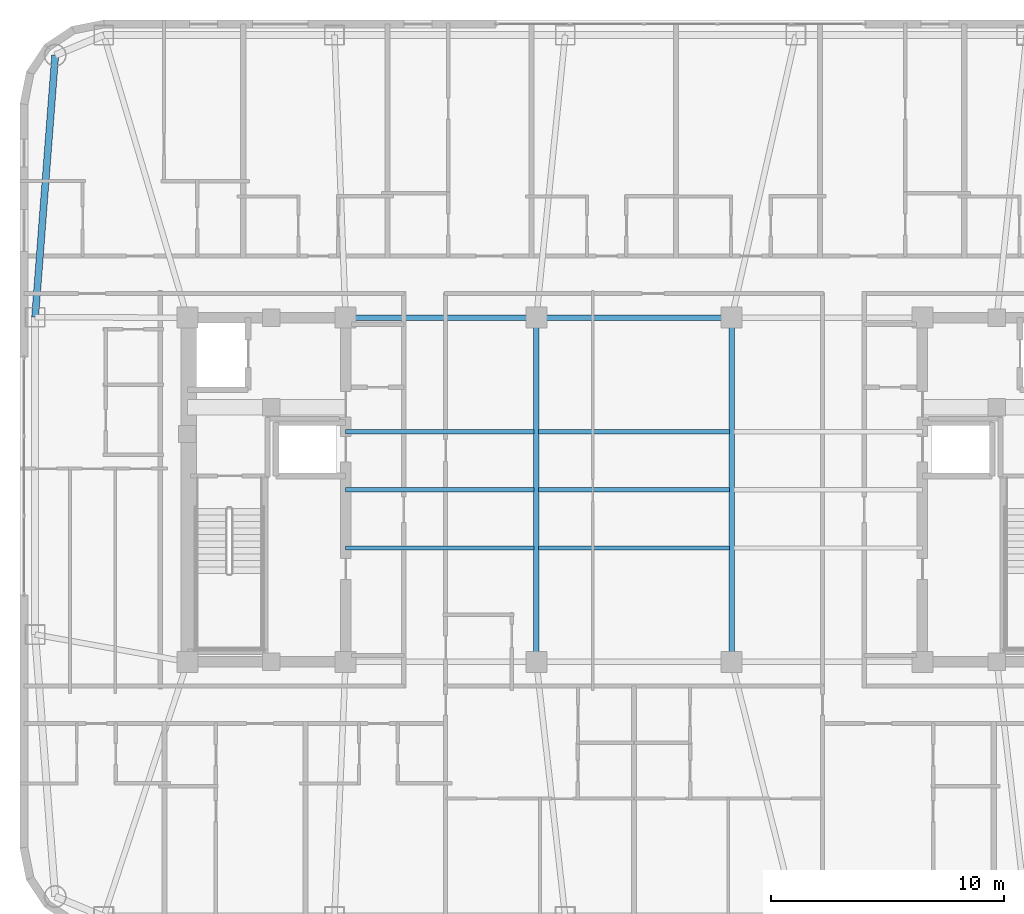
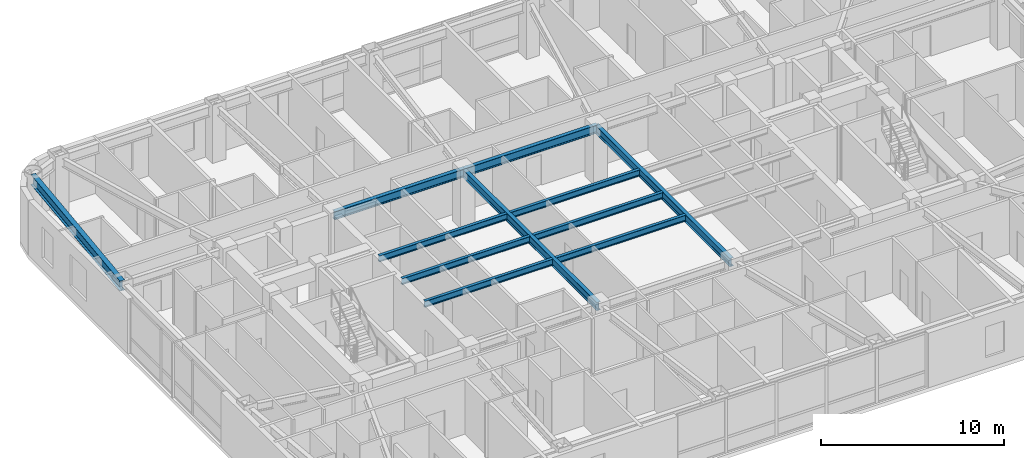
# One storey, part 8 of 29: 11 beams.
"""IFC4 building model written with IfcOpenShell, lengths in metres."""

import ifcopenshell
import ifcopenshell.guid

model = None  # the IFC model being written
_history = None  # IfcOwnerHistory: only IFC2X3 demands one
_inside = {}  # id of a spatial element -> (the spatial element, [elements in it])
_under = {}  # id of a project, library or spatial element -> (it, [spatial elements below it])
_declared = {}  # id of a project -> (the project, [libraries it declares])
_typed = {}  # id of a type object -> (the type object, [elements of that type])
_made_of = {}  # id of a material, layer set ... -> (it, [elements and type objects made of it])


def new_model(schema):
    """Start an empty IFC model of exactly this schema.

    Asked for "IFC4X3", IfcOpenShell would pick the latest addendum, in which some entities
    have other attributes; the version numbers below select the first issue.
    IFC2X3 requires an IfcOwnerHistory on every rooted entity: one is made here for all.
    """
    global model, _history
    if schema == "IFC4X3":
        model = ifcopenshell.file(schema_version=(4, 3, 0, 0))
    else:
        model = ifcopenshell.file(schema=schema)
    _inside.clear()
    _under.clear()
    _declared.clear()
    _typed.clear()
    _made_of.clear()
    _history = None
    if model.schema == "IFC2X3":
        org = make("IfcOrganization", Name="unknown")
        user = make(
            "IfcPersonAndOrganization",
            ThePerson=make("IfcPerson", FamilyName="unknown"),
            TheOrganization=org,
        )
        app = make(
            "IfcApplication",
            ApplicationDeveloper=org,
            Version="unknown",
            ApplicationFullName="unknown",
            ApplicationIdentifier="unknown",
        )
        _history = make(
            "IfcOwnerHistory",
            OwningUser=user,
            OwningApplication=app,
            ChangeAction="ADDED",
            CreationDate=0,
        )
    return model


def make(cls, **values):
    """One entity of the class cls with the attributes given. An attribute that is None is left unset."""
    return model.create_entity(
        cls, **{name: value for name, value in values.items() if value is not None}
    )


def rooted(cls, **values):
    """An entity with a GlobalId (a new one), such as an element, a storey or a relation."""
    return make(cls, GlobalId=ifcopenshell.guid.new(), OwnerHistory=_history, **values)


def si_unit(unit_type, name, prefix=None):
    """IfcSIUnit, for example si_unit("LENGTHUNIT", "METRE", prefix="MILLI")."""
    return make("IfcSIUnit", UnitType=unit_type, Prefix=prefix, Name=name)


def assignment(units):
    """IfcUnitAssignment: the units of a project."""
    return None if units is None else make("IfcUnitAssignment", Units=units)


def point(xyz):
    """IfcCartesianPoint."""
    return None if xyz is None else make("IfcCartesianPoint", Coordinates=xyz)


def direction(xyz):
    """IfcDirection."""
    return None if xyz is None else make("IfcDirection", DirectionRatios=xyz)


def frame(location, z_axis=None, x_axis=None):
    """IfcAxis2Placement3D, a coordinate frame: its origin and axes. An axis left out is left unset."""
    return make(
        "IfcAxis2Placement3D",
        Location=point(location),
        Axis=direction(z_axis),
        RefDirection=direction(x_axis),
    )


def frame_2d(location, x_axis=None):
    """IfcAxis2Placement2D, a coordinate frame in the plane: its origin and x axis."""
    return make(
        "IfcAxis2Placement2D", Location=point(location), RefDirection=direction(x_axis)
    )


def origin():
    """The frame at (0, 0, 0) with its axes left unset."""
    return frame((0.0, 0.0, 0.0))


def origin_2d():
    """The frame at (0, 0) in the plane with its x axis left unset."""
    return frame_2d((0.0, 0.0))


def place(relative_to, where):
    """IfcLocalPlacement: puts the frame where relative to a parent placement (None: the world)."""
    return make(
        "IfcLocalPlacement", PlacementRelTo=relative_to, RelativePlacement=where
    )


def context(
    kind, dimensions, precision=None, world=None, true_north=None, identifier=None
):
    """IfcGeometricRepresentationContext, for example the 3D "Model" context."""
    return make(
        "IfcGeometricRepresentationContext",
        ContextIdentifier=identifier,
        ContextType=kind,
        CoordinateSpaceDimension=dimensions,
        Precision=precision,
        WorldCoordinateSystem=world,
        TrueNorth=true_north,
    )


def subcontext(parent, identifier, kind, view, scale=None):
    """IfcGeometricRepresentationSubContext, for example "Body" below "Model"."""
    return make(
        "IfcGeometricRepresentationSubContext",
        ContextIdentifier=identifier,
        ContextType=kind,
        ParentContext=parent,
        TargetScale=scale,
        TargetView=view,
    )


def project(units=None, contexts=None):
    """IfcProject with its units and contexts."""
    return rooted(
        "IfcProject",
        Name="project",
        RepresentationContexts=contexts,
        UnitsInContext=assignment(units),
    )


def spatial(cls, under=None, at=None, **own):
    """A site, building, storey or space (cls), placed at a placement, below another one or the project."""
    s = rooted(cls, ObjectPlacement=at, **own)
    if under is not None:
        _under.setdefault(under.id(), (under, []))[1].append(s)
    return s


def profile(cls, at=None, kind="AREA", **sizes):
    """A parametric profile (cls). Its sizes go by their IFC names, for example OverallWidth=200.0."""
    return make(cls, ProfileType=kind, Position=at, **sizes)


def i_section(**sizes):
    """IfcIShapeProfileDef."""
    return profile("IfcIShapeProfileDef", **sizes)


def extrude(swept, where, along, depth):
    """IfcExtrudedAreaSolid: the profile swept, set in the frame where, extruded along a direction by depth."""
    return make(
        "IfcExtrudedAreaSolid",
        SweptArea=swept,
        Position=where,
        ExtrudedDirection=direction(along),
        Depth=depth,
    )


def shape(context_of_items, identifier, shape_type, items):
    """IfcShapeRepresentation: the items that make up one representation, for example the "Body"."""
    return make(
        "IfcShapeRepresentation",
        ContextOfItems=context_of_items,
        RepresentationIdentifier=identifier,
        RepresentationType=shape_type,
        Items=items,
    )


def material(Name=None, Category=None):
    """IfcMaterial."""
    return make("IfcMaterial", Name=Name, Category=Category)


def material_profile(
    of_material, cross_section, Name=None, Category=None, Priority=None
):
    """IfcMaterialProfile: a cross section and its material."""
    return make(
        "IfcMaterialProfile",
        Name=Name,
        Material=of_material,
        Profile=cross_section,
        Priority=Priority,
        Category=Category,
    )


def profile_set(profiles, Name=None, composite=None):
    """IfcMaterialProfileSet."""
    return make(
        "IfcMaterialProfileSet",
        Name=Name,
        MaterialProfiles=profiles,
        CompositeProfile=composite,
    )


def made_of(thing, what):
    """Note that an element or type object is made of a material, layer set ...; save() writes the relation."""
    if what is not None:
        _made_of.setdefault(what.id(), (what, []))[1].append(thing)
    return thing


def type_object(cls, material=None, **own):
    """A type object (cls), such as IfcWallType, which elements share."""
    return made_of(rooted(cls, **own), material)


def element(
    cls,
    number,
    at=None,
    inside=None,
    cuts=None,
    type_object=None,
    material=None,
    context=None,
    identifier="Body",
    shape_type=None,
    held_by="IfcProductDefinitionShape",
    body=None,
    shapes=None,
    **own,
):
    """One element of the class cls, such as IfcWall. Its Tag is "e" and its number.

    at: its placement. inside: the storey or other place that contains it. cuts: it is an
    opening in that element (IfcRelVoidsElement). A single representation is given by context,
    identifier, shape_type and body (its items); several are given by shapes. held_by: the class
    of the entity that holds the representations. save() writes the other relations.
    """
    e = rooted(cls, Tag="e%d" % number, ObjectPlacement=at, **own)
    if body is not None:
        shapes = [shape(context, identifier, shape_type, body)]
    if shapes is not None:
        e.Representation = make(held_by, Representations=shapes)
    if inside is not None:
        _inside.setdefault(inside.id(), (inside, []))[1].append(e)
    if cuts is not None:
        rooted(
            "IfcRelVoidsElement", RelatingBuildingElement=cuts, RelatedOpeningElement=e
        )
    if type_object is not None:
        _typed.setdefault(type_object.id(), (type_object, []))[1].append(e)
    return made_of(e, material)


def aggregate(whole, parts):
    """IfcRelAggregates: a whole, such as a stair, and the parts it consists of."""
    return rooted("IfcRelAggregates", RelatingObject=whole, RelatedObjects=parts)


def save(model, path):
    """Write the relations noted so far, then the file.

    IfcRelAggregates (storeys below a building ...), IfcRelContainedInSpatialStructure (elements
    in a storey), IfcRelDefinesByType, IfcRelAssociatesMaterial and IfcRelDeclares: one each for
    every whole, place, type object, material and project.
    """
    for whole, parts in _under.values():
        aggregate(whole, parts)
    for where, things in _inside.values():
        rooted(
            "IfcRelContainedInSpatialStructure",
            RelatedElements=things,
            RelatingStructure=where,
        )
    for kind, things in _typed.values():
        rooted("IfcRelDefinesByType", RelatedObjects=things, RelatingType=kind)
    for what, things in _made_of.values():
        rooted("IfcRelAssociatesMaterial", RelatedObjects=things, RelatingMaterial=what)
    for by, libraries in _declared.values():
        rooted("IfcRelDeclares", RelatingContext=by, RelatedDefinitions=libraries)
    model.write(path)


model = new_model("IFC4")

# Units and contexts
model_context = context("Model", 3, precision=1e-05, world=origin(), true_north=direction((0.0, 1.0)))
body_context = subcontext(model_context, "Body", "Model", "MODEL_VIEW")
ifc_project = project(units=[si_unit("LENGTHUNIT", "METRE"), si_unit("AREAUNIT", "SQUARE_METRE"), si_unit("VOLUMEUNIT", "CUBIC_METRE"), si_unit("PLANEANGLEUNIT", "RADIAN"), si_unit("MASSUNIT", "GRAM", prefix="KILO")], contexts=[model_context])

# Site, building, storey
site_placement = place(None, origin())
site = spatial("IfcSite", under=ifc_project, at=site_placement, CompositionType="ELEMENT")
building_placement = place(site_placement, origin())
building = spatial("IfcBuilding", under=site, at=building_placement, Name="Voryun Gate Residences", CompositionType="ELEMENT")
storey_placement = place(building_placement, frame((0.0, 0.0, 211.89990234375)))
storey = spatial("IfcBuildingStorey", under=building, at=storey_placement, Name="L52", CompositionType="ELEMENT", Elevation=211.89990234375)

# Beams
ifc_material_1 = material(Name="Steel SM355", Category="steel")
ifc_material_profile_1 = material_profile(ifc_material_1, i_section(OverallWidth=0.300048828125, OverallDepth=0.679931640625, WebThickness=0.013916015625, FlangeThickness=0.02490234375, FilletRadius=0.01806640625, at=origin_2d()), Name="H-680x300x14x25")
ifc_profile_set_1 = profile_set([ifc_material_profile_1], Name="Steel SM355")
beam_type_1 = type_object("IfcBeamType", Name="BM_EXO_SPANDREL_M", PredefinedType="SPANDREL", material=ifc_profile_set_1)
beam_1_placement = place(storey_placement, frame((-24.885986328125, 18.68603515625, 3.31005859375), z_axis=(-0.076481657417, -0.997070988485, 0.0), x_axis=(0.997070988485, -0.076481657417, 0.0)))
element("IfcBeam", 1, at=beam_1_placement, inside=storey, type_object=beam_type_1, Name="BM-L52-SPAND-17", PredefinedType="SPANDREL", context=body_context, shape_type="SweptSolid", body=[
    extrude(i_section(OverallWidth=0.300048828125, OverallDepth=0.679931640625, WebThickness=0.013916015625, FlangeThickness=0.02490234375, FilletRadius=0.01806640625, at=origin_2d()), origin(), (0.0, 0.0, 1.0), 11.297119140625),
])
ifc_material_2 = material(Name="Steel SM355", Category="steel")
ifc_material_profile_2 = material_profile(ifc_material_2, i_section(OverallWidth=0.239990234375, OverallDepth=0.550048828125, WebThickness=0.011962890625, FlangeThickness=0.02001953125, FilletRadius=0.01806640625, at=origin_2d()), Name="H-550x240x12x20")
ifc_profile_set_2 = profile_set([ifc_material_profile_2], Name="Steel SM355")
beam_type_2 = type_object("IfcBeamType", Name="BM_GIRD_550", PredefinedType="USERDEFINED", material=ifc_profile_set_2)
beam_2_placement = place(storey_placement, frame((-12.39990234375, 7.39990234375, 3.375), z_axis=(1.0, 0.0, 0.0), x_axis=(0.0, 1.0, 0.0)))
element("IfcBeam", 2, at=beam_2_placement, inside=storey, type_object=beam_type_2, Name="BM-L52-SPG1-N", ObjectType="GIRDER", PredefinedType="USERDEFINED", context=body_context, shape_type="SweptSolid", body=[
    extrude(i_section(OverallWidth=0.239990234375, OverallDepth=0.550048828125, WebThickness=0.011962890625, FlangeThickness=0.02001953125, FilletRadius=0.01806640625, at=origin_2d()), origin(), (0.0, 0.0, 1.0), 8.199951171875),
])
beam_3_placement = place(storey_placement, frame((-4.199951171875, 7.39990234375, 3.375), z_axis=(1.0, 0.0, 0.0), x_axis=(0.0, 1.0, 0.0)))
element("IfcBeam", 3, at=beam_3_placement, inside=storey, type_object=beam_type_2, Name="BM-L52-SPG2-N", ObjectType="GIRDER", PredefinedType="USERDEFINED", context=body_context, shape_type="SweptSolid", body=[
    extrude(i_section(OverallWidth=0.239990234375, OverallDepth=0.550048828125, WebThickness=0.011962890625, FlangeThickness=0.02001953125, FilletRadius=0.01806640625, at=origin_2d()), origin(), (0.0, 0.0, 1.0), 8.39990234375),
])
for number, where, z_axis, x_axis, name in (
    (4, (-4.199951171875, -7.39990234375, 3.375), (0.0, 1.0, 0.0), (-1.0, 0.0, 0.0), "BM-L52-SPX-W"),
    (5, (4.199951171875, -7.39990234375, 3.375), (0.0, 1.0, 0.0), (-1.0, 0.0, 0.0), "BM-L52-SPX-E"),
):
    element("IfcBeam", number, at=place(storey_placement, frame(where, z_axis=z_axis, x_axis=x_axis)), inside=storey, type_object=beam_type_2, Name=name, ObjectType="GIRDER", PredefinedType="USERDEFINED", context=body_context, shape_type="SweptSolid", body=[
        extrude(i_section(OverallWidth=0.239990234375, OverallDepth=0.550048828125, WebThickness=0.011962890625, FlangeThickness=0.02001953125, FilletRadius=0.01806640625, at=origin_2d()), origin(), (0.0, 0.0, 1.0), 14.7998046875),
    ])
ifc_material_3 = material(Name="Steel SM355", Category="steel")
ifc_material_profile_3 = material_profile(ifc_material_3, i_section(OverallWidth=0.18994140625, OverallDepth=0.419921875, WebThickness=0.009033203125, FlangeThickness=0.01611328125, FilletRadius=0.01806640625, at=origin_2d()), Name="H-420x190x9x16")
ifc_profile_set_3 = profile_set([ifc_material_profile_3], Name="Steel SM355")
beam_type_3 = type_object("IfcBeamType", Name="BM_SEC_420", PredefinedType="BEAM", material=ifc_profile_set_3)
beam_4_placement = place(storey_placement, frame((-12.39990234375, -2.5, 3.440185546875), z_axis=(1.0, 0.0, 0.0), x_axis=(0.0, 1.0, 0.0)))
element("IfcBeam", 6, at=beam_4_placement, inside=storey, type_object=beam_type_3, Name="BM-L52-SEC-CS1", PredefinedType="BEAM", context=body_context, shape_type="SweptSolid", body=[
    extrude(i_section(OverallWidth=0.18994140625, OverallDepth=0.419921875, WebThickness=0.009033203125, FlangeThickness=0.01611328125, FilletRadius=0.01806640625, at=origin_2d()), origin(), (0.0, 0.0, 1.0), 8.099853515625),
])
beam_5_placement = place(storey_placement, frame((-4.10009765625, -2.5, 3.440185546875), z_axis=(1.0, 0.0, 0.0), x_axis=(0.0, 1.0, 0.0)))
element("IfcBeam", 7, at=beam_5_placement, inside=storey, type_object=beam_type_3, Name="BM-L52-SEC-CS2", PredefinedType="BEAM", context=body_context, shape_type="SweptSolid", body=[
    extrude(i_section(OverallWidth=0.18994140625, OverallDepth=0.419921875, WebThickness=0.009033203125, FlangeThickness=0.01611328125, FilletRadius=0.01806640625, at=origin_2d()), origin(), (0.0, 0.0, 1.0), 8.2001953125),
])
beam_6_placement = place(storey_placement, frame((-12.39990234375, 0.0, 3.440185546875), z_axis=(1.0, 0.0, 0.0), x_axis=(0.0, 1.0, 0.0)))
element("IfcBeam", 8, at=beam_6_placement, inside=storey, type_object=beam_type_3, Name="BM-L52-SEC-CM1", PredefinedType="BEAM", context=body_context, shape_type="SweptSolid", body=[
    extrude(i_section(OverallWidth=0.18994140625, OverallDepth=0.419921875, WebThickness=0.009033203125, FlangeThickness=0.01611328125, FilletRadius=0.01806640625, at=origin_2d()), origin(), (0.0, 0.0, 1.0), 8.099853515625),
])
beam_7_placement = place(storey_placement, frame((-4.10009765625, 0.0, 3.440185546875), z_axis=(1.0, 0.0, 0.0), x_axis=(0.0, 1.0, 0.0)))
element("IfcBeam", 9, at=beam_7_placement, inside=storey, type_object=beam_type_3, Name="BM-L52-SEC-CM2", PredefinedType="BEAM", context=body_context, shape_type="SweptSolid", body=[
    extrude(i_section(OverallWidth=0.18994140625, OverallDepth=0.419921875, WebThickness=0.009033203125, FlangeThickness=0.01611328125, FilletRadius=0.01806640625, at=origin_2d()), origin(), (0.0, 0.0, 1.0), 8.2001953125),
])
beam_8_placement = place(storey_placement, frame((-12.39990234375, 2.5, 3.440185546875), z_axis=(1.0, 0.0, 0.0), x_axis=(0.0, 1.0, 0.0)))
element("IfcBeam", 10, at=beam_8_placement, inside=storey, type_object=beam_type_3, Name="BM-L52-SEC-CN1", PredefinedType="BEAM", context=body_context, shape_type="SweptSolid", body=[
    extrude(i_section(OverallWidth=0.18994140625, OverallDepth=0.419921875, WebThickness=0.009033203125, FlangeThickness=0.01611328125, FilletRadius=0.01806640625, at=origin_2d()), origin(), (0.0, 0.0, 1.0), 8.099853515625),
])
beam_9_placement = place(storey_placement, frame((-4.10009765625, 2.5, 3.440185546875), z_axis=(1.0, 0.0, 0.0), x_axis=(0.0, 1.0, 0.0)))
element("IfcBeam", 11, at=beam_9_placement, inside=storey, type_object=beam_type_3, Name="BM-L52-SEC-CN2", PredefinedType="BEAM", context=body_context, shape_type="SweptSolid", body=[
    extrude(i_section(OverallWidth=0.18994140625, OverallDepth=0.419921875, WebThickness=0.009033203125, FlangeThickness=0.01611328125, FilletRadius=0.01806640625, at=origin_2d()), origin(), (0.0, 0.0, 1.0), 8.2001953125),
])

save(model, "model.ifc")
